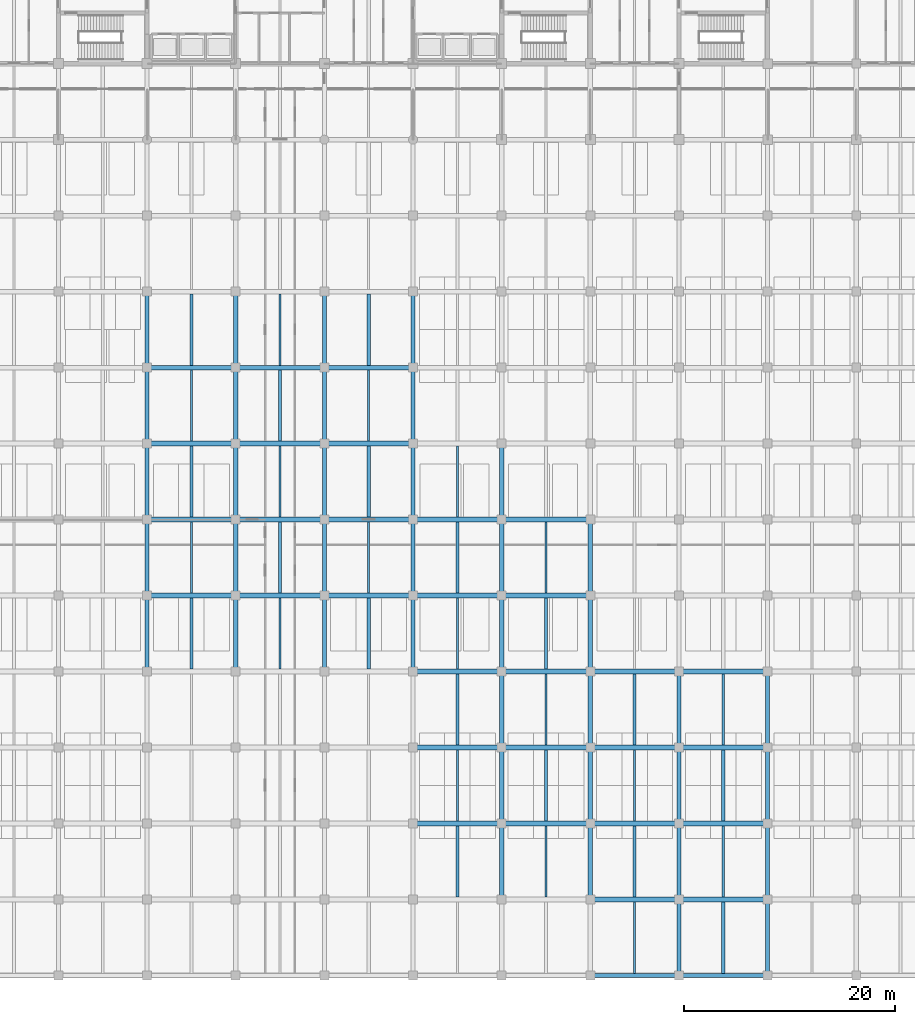
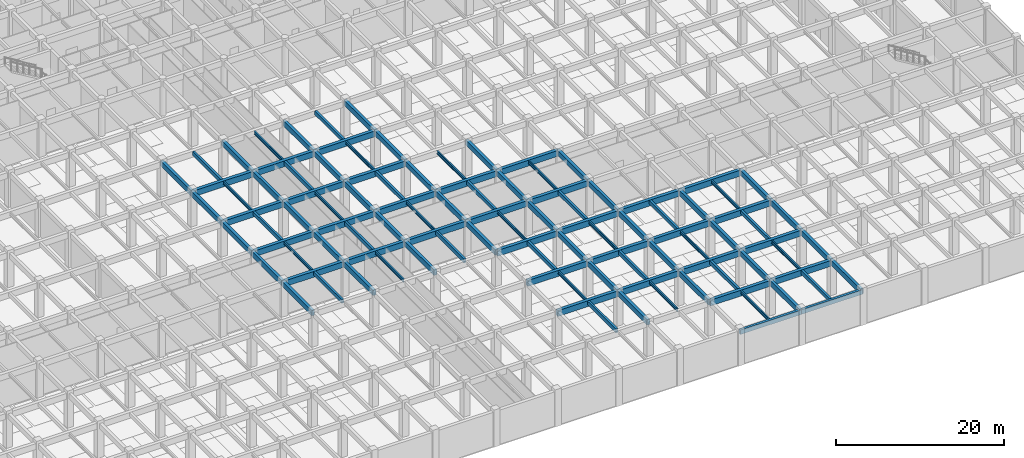
# One storey, part 5 of 48: 105 beams.
"""IFC4 building model written with IfcOpenShell, lengths in metres."""

from ifc_helpers import new_model, si_unit, direction, frame, origin, origin_2d, place, context, subcontext, project, spatial, rectangle, i_section, extrude, material, material_profile, profile_set, type_object, element, save


model = new_model("IFC4")

# Units and contexts
model_context = context("Model", 3, precision=1e-05, world=origin(), true_north=direction((0.0, 1.0)))
body_context = subcontext(model_context, "Body", "Model", "MODEL_VIEW")
ifc_project = project(units=[si_unit("LENGTHUNIT", "METRE"), si_unit("AREAUNIT", "SQUARE_METRE"), si_unit("VOLUMEUNIT", "CUBIC_METRE"), si_unit("PLANEANGLEUNIT", "RADIAN"), si_unit("MASSUNIT", "GRAM", prefix="KILO")], contexts=[model_context])

# Site, building, storey
site_placement = place(None, origin())
site = spatial("IfcSite", under=ifc_project, at=site_placement, CompositionType="ELEMENT")
building_placement = place(site_placement, origin())
building = spatial("IfcBuilding", under=site, at=building_placement, Name="Chengyuan Square Courthouse", CompositionType="ELEMENT")
storey_placement = place(building_placement, frame((0.0, 0.0, -5.39990234375)))
storey = spatial("IfcBuildingStorey", under=building, at=storey_placement, Name="B01", CompositionType="ELEMENT", Elevation=-5.39990234375)

# Beams
ifc_material_1 = material(Name="Concrete C40", Category="concrete")
ifc_material_profile_1 = material_profile(ifc_material_1, rectangle(XDim=0.449951171875, YDim=0.85009765625, at=origin_2d()), Name="RC-BM-450x850")
ifc_profile_set_1 = profile_set([ifc_material_profile_1], Name="Concrete C40")
beam_type_1 = type_object("IfcBeamType", Name="BM-01", PredefinedType="USERDEFINED", material=ifc_profile_set_1)
beam_1_placement = place(storey_placement, frame((109.199951171875, 7.199951171875, 4.554931640625), z_axis=(1.0, 0.0, 0.0), x_axis=(0.0, 1.0, 0.0)))
element("IfcBeam", 1, at=beam_1_placement, inside=storey, type_object=beam_type_1, Name="Girder BM-B01-0705", ObjectType="GIRDER", PredefinedType="USERDEFINED", context=body_context, shape_type="SweptSolid", body=[
    extrude(rectangle(XDim=0.449951171875, YDim=0.85009765625, at=origin_2d()), origin(), (0.0, 0.0, 1.0), 8.400146484375),
])
beam_2_placement = place(storey_placement, frame((117.60009765625, 7.199951171875, 4.554931640625), z_axis=(1.0, 0.0, 0.0), x_axis=(0.0, 1.0, 0.0)))
element("IfcBeam", 2, at=beam_2_placement, inside=storey, type_object=beam_type_1, Name="Girder BM-B01-0706", ObjectType="GIRDER", PredefinedType="USERDEFINED", context=body_context, shape_type="SweptSolid", body=[
    extrude(rectangle(XDim=0.449951171875, YDim=0.85009765625, at=origin_2d()), origin(), (0.0, 0.0, 1.0), 8.39990234375),
])
beam_3_placement = place(storey_placement, frame((92.39990234375, 14.39990234375, 4.554931640625), z_axis=(1.0, 0.0, 0.0), x_axis=(0.0, 1.0, 0.0)))
element("IfcBeam", 3, at=beam_3_placement, inside=storey, type_object=beam_type_1, Name="Girder BM-B01-0723", ObjectType="GIRDER", PredefinedType="USERDEFINED", context=body_context, shape_type="SweptSolid", body=[
    extrude(rectangle(XDim=0.449951171875, YDim=0.85009765625, at=origin_2d()), origin(), (0.0, 0.0, 1.0), 8.400146484375),
])
beam_4_placement = place(storey_placement, frame((100.800048828125, 14.39990234375, 4.554931640625), z_axis=(1.0, 0.0, 0.0), x_axis=(0.0, 1.0, 0.0)))
element("IfcBeam", 4, at=beam_4_placement, inside=storey, type_object=beam_type_1, Name="Girder BM-B01-0724", ObjectType="GIRDER", PredefinedType="USERDEFINED", context=body_context, shape_type="SweptSolid", body=[
    extrude(rectangle(XDim=0.449951171875, YDim=0.85009765625, at=origin_2d()), origin(), (0.0, 0.0, 1.0), 8.39990234375),
])
beam_5_placement = place(storey_placement, frame((109.199951171875, 14.39990234375, 4.554931640625), z_axis=(1.0, 0.0, 0.0), x_axis=(0.0, 1.0, 0.0)))
element("IfcBeam", 5, at=beam_5_placement, inside=storey, type_object=beam_type_1, Name="Girder BM-B01-0725", ObjectType="GIRDER", PredefinedType="USERDEFINED", context=body_context, shape_type="SweptSolid", body=[
    extrude(rectangle(XDim=0.449951171875, YDim=0.85009765625, at=origin_2d()), origin(), (0.0, 0.0, 1.0), 8.400146484375),
])
beam_6_placement = place(storey_placement, frame((117.60009765625, 14.39990234375, 4.554931640625), z_axis=(1.0, 0.0, 0.0), x_axis=(0.0, 1.0, 0.0)))
element("IfcBeam", 6, at=beam_6_placement, inside=storey, type_object=beam_type_1, Name="Girder BM-B01-0726", ObjectType="GIRDER", PredefinedType="USERDEFINED", context=body_context, shape_type="SweptSolid", body=[
    extrude(rectangle(XDim=0.449951171875, YDim=0.85009765625, at=origin_2d()), origin(), (0.0, 0.0, 1.0), 8.39990234375),
])
beam_7_placement = place(storey_placement, frame((92.39990234375, 21.60009765625, 4.554931640625), z_axis=(1.0, 0.0, 0.0), x_axis=(0.0, 1.0, 0.0)))
element("IfcBeam", 7, at=beam_7_placement, inside=storey, type_object=beam_type_1, Name="Girder BM-B01-0743", ObjectType="GIRDER", PredefinedType="USERDEFINED", context=body_context, shape_type="SweptSolid", body=[
    extrude(rectangle(XDim=0.449951171875, YDim=0.85009765625, at=origin_2d()), origin(), (0.0, 0.0, 1.0), 8.400146484375),
])
beam_8_placement = place(storey_placement, frame((100.800048828125, 21.60009765625, 4.554931640625), z_axis=(1.0, 0.0, 0.0), x_axis=(0.0, 1.0, 0.0)))
element("IfcBeam", 8, at=beam_8_placement, inside=storey, type_object=beam_type_1, Name="Girder BM-B01-0744", ObjectType="GIRDER", PredefinedType="USERDEFINED", context=body_context, shape_type="SweptSolid", body=[
    extrude(rectangle(XDim=0.449951171875, YDim=0.85009765625, at=origin_2d()), origin(), (0.0, 0.0, 1.0), 8.39990234375),
])
beam_9_placement = place(storey_placement, frame((109.199951171875, 21.60009765625, 4.554931640625), z_axis=(1.0, 0.0, 0.0), x_axis=(0.0, 1.0, 0.0)))
element("IfcBeam", 9, at=beam_9_placement, inside=storey, type_object=beam_type_1, Name="Girder BM-B01-0745", ObjectType="GIRDER", PredefinedType="USERDEFINED", context=body_context, shape_type="SweptSolid", body=[
    extrude(rectangle(XDim=0.449951171875, YDim=0.85009765625, at=origin_2d()), origin(), (0.0, 0.0, 1.0), 8.400146484375),
])
beam_10_placement = place(storey_placement, frame((117.60009765625, 21.60009765625, 4.554931640625), z_axis=(1.0, 0.0, 0.0), x_axis=(0.0, 1.0, 0.0)))
element("IfcBeam", 10, at=beam_10_placement, inside=storey, type_object=beam_type_1, Name="Girder BM-B01-0746", ObjectType="GIRDER", PredefinedType="USERDEFINED", context=body_context, shape_type="SweptSolid", body=[
    extrude(rectangle(XDim=0.449951171875, YDim=0.85009765625, at=origin_2d()), origin(), (0.0, 0.0, 1.0), 8.39990234375),
])
beam_11_placement = place(storey_placement, frame((92.39990234375, 28.800048828125, 4.554931640625), z_axis=(1.0, 0.0, 0.0), x_axis=(0.0, 1.0, 0.0)))
element("IfcBeam", 11, at=beam_11_placement, inside=storey, type_object=beam_type_1, Name="Girder BM-B01-0763", ObjectType="GIRDER", PredefinedType="USERDEFINED", context=body_context, shape_type="SweptSolid", body=[
    extrude(rectangle(XDim=0.449951171875, YDim=0.85009765625, at=origin_2d()), origin(), (0.0, 0.0, 1.0), 8.400146484375),
])
beam_12_placement = place(storey_placement, frame((100.800048828125, 28.800048828125, 4.554931640625), z_axis=(1.0, 0.0, 0.0), x_axis=(0.0, 1.0, 0.0)))
element("IfcBeam", 12, at=beam_12_placement, inside=storey, type_object=beam_type_1, Name="Girder BM-B01-0764", ObjectType="GIRDER", PredefinedType="USERDEFINED", context=body_context, shape_type="SweptSolid", body=[
    extrude(rectangle(XDim=0.449951171875, YDim=0.85009765625, at=origin_2d()), origin(), (0.0, 0.0, 1.0), 8.39990234375),
])
beam_13_placement = place(storey_placement, frame((109.199951171875, 28.800048828125, 4.554931640625), z_axis=(1.0, 0.0, 0.0), x_axis=(0.0, 1.0, 0.0)))
element("IfcBeam", 13, at=beam_13_placement, inside=storey, type_object=beam_type_1, Name="Girder BM-B01-0765", ObjectType="GIRDER", PredefinedType="USERDEFINED", context=body_context, shape_type="SweptSolid", body=[
    extrude(rectangle(XDim=0.449951171875, YDim=0.85009765625, at=origin_2d()), origin(), (0.0, 0.0, 1.0), 8.400146484375),
])
beam_14_placement = place(storey_placement, frame((117.60009765625, 28.800048828125, 4.554931640625), z_axis=(1.0, 0.0, 0.0), x_axis=(0.0, 1.0, 0.0)))
element("IfcBeam", 14, at=beam_14_placement, inside=storey, type_object=beam_type_1, Name="Girder BM-B01-0766", ObjectType="GIRDER", PredefinedType="USERDEFINED", context=body_context, shape_type="SweptSolid", body=[
    extrude(rectangle(XDim=0.449951171875, YDim=0.85009765625, at=origin_2d()), origin(), (0.0, 0.0, 1.0), 8.39990234375),
])
beam_15_placement = place(storey_placement, frame((67.199951171875, 36.0, 4.554931640625), z_axis=(1.0, 0.0, 0.0), x_axis=(0.0, 1.0, 0.0)))
element("IfcBeam", 15, at=beam_15_placement, inside=storey, type_object=beam_type_1, Name="Girder BM-B01-0780", ObjectType="GIRDER", PredefinedType="USERDEFINED", context=body_context, shape_type="SweptSolid", body=[
    extrude(rectangle(XDim=0.449951171875, YDim=0.85009765625, at=origin_2d()), origin(), (0.0, 0.0, 1.0), 8.400146484375),
])
for number, where, z_axis, x_axis, name in (
    (16, (75.60009765625, 36.0, 4.554931640625), (1.0, 0.0, 0.0), (0.0, 1.0, 0.0), "Girder BM-B01-0781"),
    (17, (84.0, 36.0, 4.554931640625), (1.0, 0.0, 0.0), (0.0, 1.0, 0.0), "Girder BM-B01-0782"),
):
    element("IfcBeam", number, at=place(storey_placement, frame(where, z_axis=z_axis, x_axis=x_axis)), inside=storey, type_object=beam_type_1, Name=name, ObjectType="GIRDER", PredefinedType="USERDEFINED", context=body_context, shape_type="SweptSolid", body=[
        extrude(rectangle(XDim=0.449951171875, YDim=0.85009765625, at=origin_2d()), origin(), (0.0, 0.0, 1.0), 8.39990234375),
    ])
beam_16_placement = place(storey_placement, frame((92.39990234375, 36.0, 4.554931640625), z_axis=(1.0, 0.0, 0.0), x_axis=(0.0, 1.0, 0.0)))
element("IfcBeam", 18, at=beam_16_placement, inside=storey, type_object=beam_type_1, Name="Girder BM-B01-0783", ObjectType="GIRDER", PredefinedType="USERDEFINED", context=body_context, shape_type="SweptSolid", body=[
    extrude(rectangle(XDim=0.449951171875, YDim=0.85009765625, at=origin_2d()), origin(), (0.0, 0.0, 1.0), 8.400146484375),
])
beam_17_placement = place(storey_placement, frame((100.800048828125, 36.0, 4.554931640625), z_axis=(1.0, 0.0, 0.0), x_axis=(0.0, 1.0, 0.0)))
element("IfcBeam", 19, at=beam_17_placement, inside=storey, type_object=beam_type_1, Name="Girder BM-B01-0784", ObjectType="GIRDER", PredefinedType="USERDEFINED", context=body_context, shape_type="SweptSolid", body=[
    extrude(rectangle(XDim=0.449951171875, YDim=0.85009765625, at=origin_2d()), origin(), (0.0, 0.0, 1.0), 8.39990234375),
])
beam_18_placement = place(storey_placement, frame((67.199951171875, 43.199951171875, 4.554931640625), z_axis=(1.0, 0.0, 0.0), x_axis=(0.0, 1.0, 0.0)))
element("IfcBeam", 20, at=beam_18_placement, inside=storey, type_object=beam_type_1, Name="Girder BM-B01-0800", ObjectType="GIRDER", PredefinedType="USERDEFINED", context=body_context, shape_type="SweptSolid", body=[
    extrude(rectangle(XDim=0.449951171875, YDim=0.85009765625, at=origin_2d()), origin(), (0.0, 0.0, 1.0), 8.400146484375),
])
for number, where, z_axis, x_axis, name in (
    (21, (75.60009765625, 43.199951171875, 4.554931640625), (1.0, 0.0, 0.0), (0.0, 1.0, 0.0), "Girder BM-B01-0801"),
    (22, (84.0, 43.199951171875, 4.554931640625), (1.0, 0.0, 0.0), (0.0, 1.0, 0.0), "Girder BM-B01-0802"),
):
    element("IfcBeam", number, at=place(storey_placement, frame(where, z_axis=z_axis, x_axis=x_axis)), inside=storey, type_object=beam_type_1, Name=name, ObjectType="GIRDER", PredefinedType="USERDEFINED", context=body_context, shape_type="SweptSolid", body=[
        extrude(rectangle(XDim=0.449951171875, YDim=0.85009765625, at=origin_2d()), origin(), (0.0, 0.0, 1.0), 8.39990234375),
    ])
beam_19_placement = place(storey_placement, frame((92.39990234375, 43.199951171875, 4.554931640625), z_axis=(1.0, 0.0, 0.0), x_axis=(0.0, 1.0, 0.0)))
element("IfcBeam", 23, at=beam_19_placement, inside=storey, type_object=beam_type_1, Name="Girder BM-B01-0803", ObjectType="GIRDER", PredefinedType="USERDEFINED", context=body_context, shape_type="SweptSolid", body=[
    extrude(rectangle(XDim=0.449951171875, YDim=0.85009765625, at=origin_2d()), origin(), (0.0, 0.0, 1.0), 8.400146484375),
])
beam_20_placement = place(storey_placement, frame((100.800048828125, 43.199951171875, 4.554931640625), z_axis=(1.0, 0.0, 0.0), x_axis=(0.0, 1.0, 0.0)))
element("IfcBeam", 24, at=beam_20_placement, inside=storey, type_object=beam_type_1, Name="Girder BM-B01-0804", ObjectType="GIRDER", PredefinedType="USERDEFINED", context=body_context, shape_type="SweptSolid", body=[
    extrude(rectangle(XDim=0.449951171875, YDim=0.85009765625, at=origin_2d()), origin(), (0.0, 0.0, 1.0), 8.39990234375),
])
beam_21_placement = place(storey_placement, frame((67.199951171875, 50.39990234375, 4.554931640625), z_axis=(1.0, 0.0, 0.0), x_axis=(0.0, 1.0, 0.0)))
element("IfcBeam", 25, at=beam_21_placement, inside=storey, type_object=beam_type_1, Name="Girder BM-B01-0820", ObjectType="GIRDER", PredefinedType="USERDEFINED", context=body_context, shape_type="SweptSolid", body=[
    extrude(rectangle(XDim=0.449951171875, YDim=0.85009765625, at=origin_2d()), origin(), (0.0, 0.0, 1.0), 8.400146484375),
])
for number, where, z_axis, x_axis, name in (
    (26, (75.60009765625, 50.39990234375, 4.554931640625), (1.0, 0.0, 0.0), (0.0, 1.0, 0.0), "Girder BM-B01-0821"),
    (27, (84.0, 50.39990234375, 4.554931640625), (1.0, 0.0, 0.0), (0.0, 1.0, 0.0), "Girder BM-B01-0822"),
):
    element("IfcBeam", number, at=place(storey_placement, frame(where, z_axis=z_axis, x_axis=x_axis)), inside=storey, type_object=beam_type_1, Name=name, ObjectType="GIRDER", PredefinedType="USERDEFINED", context=body_context, shape_type="SweptSolid", body=[
        extrude(rectangle(XDim=0.449951171875, YDim=0.85009765625, at=origin_2d()), origin(), (0.0, 0.0, 1.0), 8.39990234375),
    ])
beam_22_placement = place(storey_placement, frame((67.199951171875, 57.60009765625, 4.554931640625), z_axis=(1.0, 0.0, 0.0), x_axis=(0.0, 1.0, 0.0)))
element("IfcBeam", 28, at=beam_22_placement, inside=storey, type_object=beam_type_1, Name="Girder BM-B01-0840", ObjectType="GIRDER", PredefinedType="USERDEFINED", context=body_context, shape_type="SweptSolid", body=[
    extrude(rectangle(XDim=0.449951171875, YDim=0.85009765625, at=origin_2d()), origin(), (0.0, 0.0, 1.0), 8.400146484375),
])
for number, where, z_axis, x_axis, name in (
    (29, (75.60009765625, 57.60009765625, 4.554931640625), (1.0, 0.0, 0.0), (0.0, 1.0, 0.0), "Girder BM-B01-0841"),
    (30, (84.0, 57.60009765625, 4.554931640625), (1.0, 0.0, 0.0), (0.0, 1.0, 0.0), "Girder BM-B01-0842"),
):
    element("IfcBeam", number, at=place(storey_placement, frame(where, z_axis=z_axis, x_axis=x_axis)), inside=storey, type_object=beam_type_1, Name=name, ObjectType="GIRDER", PredefinedType="USERDEFINED", context=body_context, shape_type="SweptSolid", body=[
        extrude(rectangle(XDim=0.449951171875, YDim=0.85009765625, at=origin_2d()), origin(), (0.0, 0.0, 1.0), 8.39990234375),
    ])
ifc_material_profile_2 = material_profile(ifc_material_1, rectangle(XDim=0.39990234375, YDim=0.75, at=origin_2d()), Name="RC-BM-400x750")
ifc_profile_set_2 = profile_set([ifc_material_profile_2], Name="Concrete C40")
beam_type_2 = type_object("IfcBeamType", Name="BM-02", PredefinedType="USERDEFINED", material=ifc_profile_set_2)
for number, where, z_axis, x_axis, name in (
    (31, (67.199951171875, 28.800048828125, 4.60498046875), (0.0, 1.0, 0.0), (-1.0, 0.0, 0.0), "Girder BM-B01-1138"),
    (32, (67.199951171875, 36.0, 4.60498046875), (0.0, 1.0, 0.0), (-1.0, 0.0, 0.0), "Girder BM-B01-1139"),
    (33, (67.199951171875, 43.199951171875, 4.60498046875), (0.0, 1.0, 0.0), (-1.0, 0.0, 0.0), "Girder BM-B01-1140"),
):
    element("IfcBeam", number, at=place(storey_placement, frame(where, z_axis=z_axis, x_axis=x_axis)), inside=storey, type_object=beam_type_2, Name=name, ObjectType="GIRDER", PredefinedType="USERDEFINED", context=body_context, shape_type="SweptSolid", body=[
        extrude(rectangle(XDim=0.39990234375, YDim=0.75, at=origin_2d()), origin(), (0.0, 0.0, 1.0), 7.199951171875),
    ])
beam_23_placement = place(storey_placement, frame((67.199951171875, 50.39990234375, 4.60498046875), z_axis=(0.0, 1.0, 0.0), x_axis=(-1.0, 0.0, 0.0)))
element("IfcBeam", 34, at=beam_23_placement, inside=storey, type_object=beam_type_2, Name="Girder BM-B01-1141", ObjectType="GIRDER", PredefinedType="USERDEFINED", context=body_context, shape_type="SweptSolid", body=[
    extrude(rectangle(XDim=0.39990234375, YDim=0.75, at=origin_2d()), origin(), (0.0, 0.0, 1.0), 7.2001953125),
])
for number, where, z_axis, x_axis, name in (
    (35, (67.199951171875, 57.60009765625, 4.60498046875), (0.0, 1.0, 0.0), (-1.0, 0.0, 0.0), "Girder BM-B01-1142"),
    (36, (75.60009765625, 28.800048828125, 4.60498046875), (0.0, 1.0, 0.0), (-1.0, 0.0, 0.0), "Girder BM-B01-1154"),
    (37, (75.60009765625, 36.0, 4.60498046875), (0.0, 1.0, 0.0), (-1.0, 0.0, 0.0), "Girder BM-B01-1155"),
    (38, (75.60009765625, 43.199951171875, 4.60498046875), (0.0, 1.0, 0.0), (-1.0, 0.0, 0.0), "Girder BM-B01-1156"),
):
    element("IfcBeam", number, at=place(storey_placement, frame(where, z_axis=z_axis, x_axis=x_axis)), inside=storey, type_object=beam_type_2, Name=name, ObjectType="GIRDER", PredefinedType="USERDEFINED", context=body_context, shape_type="SweptSolid", body=[
        extrude(rectangle(XDim=0.39990234375, YDim=0.75, at=origin_2d()), origin(), (0.0, 0.0, 1.0), 7.199951171875),
    ])
beam_24_placement = place(storey_placement, frame((75.60009765625, 50.39990234375, 4.60498046875), z_axis=(0.0, 1.0, 0.0), x_axis=(-1.0, 0.0, 0.0)))
element("IfcBeam", 39, at=beam_24_placement, inside=storey, type_object=beam_type_2, Name="Girder BM-B01-1157", ObjectType="GIRDER", PredefinedType="USERDEFINED", context=body_context, shape_type="SweptSolid", body=[
    extrude(rectangle(XDim=0.39990234375, YDim=0.75, at=origin_2d()), origin(), (0.0, 0.0, 1.0), 7.2001953125),
])
for number, where, z_axis, x_axis, name in (
    (40, (75.60009765625, 57.60009765625, 4.60498046875), (0.0, 1.0, 0.0), (-1.0, 0.0, 0.0), "Girder BM-B01-1158"),
    (41, (84.0, 28.800048828125, 4.60498046875), (0.0, 1.0, 0.0), (-1.0, 0.0, 0.0), "Girder BM-B01-1170"),
    (42, (84.0, 36.0, 4.60498046875), (0.0, 1.0, 0.0), (-1.0, 0.0, 0.0), "Girder BM-B01-1171"),
    (43, (84.0, 43.199951171875, 4.60498046875), (0.0, 1.0, 0.0), (-1.0, 0.0, 0.0), "Girder BM-B01-1172"),
):
    element("IfcBeam", number, at=place(storey_placement, frame(where, z_axis=z_axis, x_axis=x_axis)), inside=storey, type_object=beam_type_2, Name=name, ObjectType="GIRDER", PredefinedType="USERDEFINED", context=body_context, shape_type="SweptSolid", body=[
        extrude(rectangle(XDim=0.39990234375, YDim=0.75, at=origin_2d()), origin(), (0.0, 0.0, 1.0), 7.199951171875),
    ])
beam_25_placement = place(storey_placement, frame((84.0, 50.39990234375, 4.60498046875), z_axis=(0.0, 1.0, 0.0), x_axis=(-1.0, 0.0, 0.0)))
element("IfcBeam", 44, at=beam_25_placement, inside=storey, type_object=beam_type_2, Name="Girder BM-B01-1173", ObjectType="GIRDER", PredefinedType="USERDEFINED", context=body_context, shape_type="SweptSolid", body=[
    extrude(rectangle(XDim=0.39990234375, YDim=0.75, at=origin_2d()), origin(), (0.0, 0.0, 1.0), 7.2001953125),
])
for number, where, z_axis, x_axis, name in (
    (45, (84.0, 57.60009765625, 4.60498046875), (0.0, 1.0, 0.0), (-1.0, 0.0, 0.0), "Girder BM-B01-1174"),
    (46, (92.39990234375, 28.800048828125, 4.60498046875), (0.0, 1.0, 0.0), (-1.0, 0.0, 0.0), "Girder BM-B01-1186"),
    (47, (92.39990234375, 36.0, 4.60498046875), (0.0, 1.0, 0.0), (-1.0, 0.0, 0.0), "Girder BM-B01-1187"),
    (48, (92.39990234375, 43.199951171875, 4.60498046875), (0.0, 1.0, 0.0), (-1.0, 0.0, 0.0), "Girder BM-B01-1188"),
):
    element("IfcBeam", number, at=place(storey_placement, frame(where, z_axis=z_axis, x_axis=x_axis)), inside=storey, type_object=beam_type_2, Name=name, ObjectType="GIRDER", PredefinedType="USERDEFINED", context=body_context, shape_type="SweptSolid", body=[
        extrude(rectangle(XDim=0.39990234375, YDim=0.75, at=origin_2d()), origin(), (0.0, 0.0, 1.0), 7.199951171875),
    ])
beam_26_placement = place(storey_placement, frame((92.39990234375, 50.39990234375, 4.60498046875), z_axis=(0.0, 1.0, 0.0), x_axis=(-1.0, 0.0, 0.0)))
element("IfcBeam", 49, at=beam_26_placement, inside=storey, type_object=beam_type_2, Name="Girder BM-B01-1189", ObjectType="GIRDER", PredefinedType="USERDEFINED", context=body_context, shape_type="SweptSolid", body=[
    extrude(rectangle(XDim=0.39990234375, YDim=0.75, at=origin_2d()), origin(), (0.0, 0.0, 1.0), 7.2001953125),
])
for number, where, z_axis, x_axis, name in (
    (50, (92.39990234375, 57.60009765625, 4.60498046875), (0.0, 1.0, 0.0), (-1.0, 0.0, 0.0), "Girder BM-B01-1190"),
    (51, (100.800048828125, 7.199951171875, 4.60498046875), (0.0, 1.0, 0.0), (-1.0, 0.0, 0.0), "Girder BM-B01-1199"),
):
    element("IfcBeam", number, at=place(storey_placement, frame(where, z_axis=z_axis, x_axis=x_axis)), inside=storey, type_object=beam_type_2, Name=name, ObjectType="GIRDER", PredefinedType="USERDEFINED", context=body_context, shape_type="SweptSolid", body=[
        extrude(rectangle(XDim=0.39990234375, YDim=0.75, at=origin_2d()), origin(), (0.0, 0.0, 1.0), 7.199951171875),
    ])
beam_27_placement = place(storey_placement, frame((100.800048828125, 14.39990234375, 4.60498046875), z_axis=(0.0, 1.0, 0.0), x_axis=(-1.0, 0.0, 0.0)))
element("IfcBeam", 52, at=beam_27_placement, inside=storey, type_object=beam_type_2, Name="Girder BM-B01-1200", ObjectType="GIRDER", PredefinedType="USERDEFINED", context=body_context, shape_type="SweptSolid", body=[
    extrude(rectangle(XDim=0.39990234375, YDim=0.75, at=origin_2d()), origin(), (0.0, 0.0, 1.0), 7.2001953125),
])
for number, where, z_axis, x_axis, name in (
    (53, (100.800048828125, 21.60009765625, 4.60498046875), (0.0, 1.0, 0.0), (-1.0, 0.0, 0.0), "Girder BM-B01-1201"),
    (54, (100.800048828125, 28.800048828125, 4.60498046875), (0.0, 1.0, 0.0), (-1.0, 0.0, 0.0), "Girder BM-B01-1202"),
    (55, (100.800048828125, 36.0, 4.60498046875), (0.0, 1.0, 0.0), (-1.0, 0.0, 0.0), "Girder BM-B01-1203"),
    (56, (100.800048828125, 43.199951171875, 4.60498046875), (0.0, 1.0, 0.0), (-1.0, 0.0, 0.0), "Girder BM-B01-1204"),
    (57, (109.199951171875, 7.199951171875, 4.60498046875), (0.0, 1.0, 0.0), (-1.0, 0.0, 0.0), "Girder BM-B01-1215"),
):
    element("IfcBeam", number, at=place(storey_placement, frame(where, z_axis=z_axis, x_axis=x_axis)), inside=storey, type_object=beam_type_2, Name=name, ObjectType="GIRDER", PredefinedType="USERDEFINED", context=body_context, shape_type="SweptSolid", body=[
        extrude(rectangle(XDim=0.39990234375, YDim=0.75, at=origin_2d()), origin(), (0.0, 0.0, 1.0), 7.199951171875),
    ])
beam_28_placement = place(storey_placement, frame((109.199951171875, 14.39990234375, 4.60498046875), z_axis=(0.0, 1.0, 0.0), x_axis=(-1.0, 0.0, 0.0)))
element("IfcBeam", 58, at=beam_28_placement, inside=storey, type_object=beam_type_2, Name="Girder BM-B01-1216", ObjectType="GIRDER", PredefinedType="USERDEFINED", context=body_context, shape_type="SweptSolid", body=[
    extrude(rectangle(XDim=0.39990234375, YDim=0.75, at=origin_2d()), origin(), (0.0, 0.0, 1.0), 7.2001953125),
])
for number, where, z_axis, x_axis, name in (
    (59, (109.199951171875, 21.60009765625, 4.60498046875), (0.0, 1.0, 0.0), (-1.0, 0.0, 0.0), "Girder BM-B01-1217"),
    (60, (109.199951171875, 28.800048828125, 4.60498046875), (0.0, 1.0, 0.0), (-1.0, 0.0, 0.0), "Girder BM-B01-1218"),
    (61, (109.199951171875, 36.0, 4.60498046875), (0.0, 1.0, 0.0), (-1.0, 0.0, 0.0), "Girder BM-B01-1219"),
    (62, (117.60009765625, 0.0, 4.60498046875), (0.0, 1.0, 0.0), (-1.0, 0.0, 0.0), "Girder BM-B01-1230"),
    (63, (117.60009765625, 7.199951171875, 4.60498046875), (0.0, 1.0, 0.0), (-1.0, 0.0, 0.0), "Girder BM-B01-1231"),
):
    element("IfcBeam", number, at=place(storey_placement, frame(where, z_axis=z_axis, x_axis=x_axis)), inside=storey, type_object=beam_type_2, Name=name, ObjectType="GIRDER", PredefinedType="USERDEFINED", context=body_context, shape_type="SweptSolid", body=[
        extrude(rectangle(XDim=0.39990234375, YDim=0.75, at=origin_2d()), origin(), (0.0, 0.0, 1.0), 7.199951171875),
    ])
beam_29_placement = place(storey_placement, frame((117.60009765625, 14.39990234375, 4.60498046875), z_axis=(0.0, 1.0, 0.0), x_axis=(-1.0, 0.0, 0.0)))
element("IfcBeam", 64, at=beam_29_placement, inside=storey, type_object=beam_type_2, Name="Girder BM-B01-1232", ObjectType="GIRDER", PredefinedType="USERDEFINED", context=body_context, shape_type="SweptSolid", body=[
    extrude(rectangle(XDim=0.39990234375, YDim=0.75, at=origin_2d()), origin(), (0.0, 0.0, 1.0), 7.2001953125),
])
for number, where, z_axis, x_axis, name in (
    (65, (117.60009765625, 21.60009765625, 4.60498046875), (0.0, 1.0, 0.0), (-1.0, 0.0, 0.0), "Girder BM-B01-1233"),
    (66, (126.0, 0.0, 4.60498046875), (0.0, 1.0, 0.0), (-1.0, 0.0, 0.0), "Girder BM-B01-1246"),
    (67, (126.0, 7.199951171875, 4.60498046875), (0.0, 1.0, 0.0), (-1.0, 0.0, 0.0), "Girder BM-B01-1247"),
):
    element("IfcBeam", number, at=place(storey_placement, frame(where, z_axis=z_axis, x_axis=x_axis)), inside=storey, type_object=beam_type_2, Name=name, ObjectType="GIRDER", PredefinedType="USERDEFINED", context=body_context, shape_type="SweptSolid", body=[
        extrude(rectangle(XDim=0.39990234375, YDim=0.75, at=origin_2d()), origin(), (0.0, 0.0, 1.0), 7.199951171875),
    ])
beam_30_placement = place(storey_placement, frame((126.0, 14.39990234375, 4.60498046875), z_axis=(0.0, 1.0, 0.0), x_axis=(-1.0, 0.0, 0.0)))
element("IfcBeam", 68, at=beam_30_placement, inside=storey, type_object=beam_type_2, Name="Girder BM-B01-1248", ObjectType="GIRDER", PredefinedType="USERDEFINED", context=body_context, shape_type="SweptSolid", body=[
    extrude(rectangle(XDim=0.39990234375, YDim=0.75, at=origin_2d()), origin(), (0.0, 0.0, 1.0), 7.2001953125),
])
beam_31_placement = place(storey_placement, frame((126.0, 21.60009765625, 4.60498046875), z_axis=(0.0, 1.0, 0.0), x_axis=(-1.0, 0.0, 0.0)))
element("IfcBeam", 69, at=beam_31_placement, inside=storey, type_object=beam_type_2, Name="Girder BM-B01-1249", ObjectType="GIRDER", PredefinedType="USERDEFINED", context=body_context, shape_type="SweptSolid", body=[
    extrude(rectangle(XDim=0.39990234375, YDim=0.75, at=origin_2d()), origin(), (0.0, 0.0, 1.0), 7.199951171875),
])
ifc_material_profile_3 = material_profile(ifc_material_1, rectangle(XDim=0.35009765625, YDim=0.64990234375, at=origin_2d()), Name="RC-BM-350x650")
ifc_profile_set_3 = profile_set([ifc_material_profile_3], Name="Concrete C40")
beam_type_3 = type_object("IfcBeamType", Name="BM-03", PredefinedType="SPANDREL", material=ifc_profile_set_3)
beam_32_placement = place(storey_placement, frame((109.199951171875, 0.0, 4.65478515625), z_axis=(1.0, 0.0, 0.0), x_axis=(0.0, 1.0, 0.0)))
element("IfcBeam", 70, at=beam_32_placement, inside=storey, type_object=beam_type_3, Name="Girder BM-B01-0685", PredefinedType="SPANDREL", context=body_context, shape_type="SweptSolid", body=[
    extrude(rectangle(XDim=0.35009765625, YDim=0.64990234375, at=origin_2d()), origin(), (0.0, 0.0, 1.0), 8.400146484375),
])
beam_33_placement = place(storey_placement, frame((117.60009765625, 0.0, 4.65478515625), z_axis=(1.0, 0.0, 0.0), x_axis=(0.0, 1.0, 0.0)))
element("IfcBeam", 71, at=beam_33_placement, inside=storey, type_object=beam_type_3, Name="Girder BM-B01-0686", PredefinedType="SPANDREL", context=body_context, shape_type="SweptSolid", body=[
    extrude(rectangle(XDim=0.35009765625, YDim=0.64990234375, at=origin_2d()), origin(), (0.0, 0.0, 1.0), 8.39990234375),
])
ifc_material_profile_4 = material_profile(ifc_material_1, rectangle(XDim=0.300048828125, YDim=0.550048828125, at=origin_2d()), Name="RC-BM-300x550")
ifc_profile_set_4 = profile_set([ifc_material_profile_4], Name="Concrete C40")
beam_type_4 = type_object("IfcBeamType", Name="BM-04", PredefinedType="BEAM", material=ifc_profile_set_4)
for number, where, z_axis, x_axis, name in (
    (72, (71.39990234375, 29.02490234375, 4.704833984375), (0.0, 1.0, 0.0), (-1.0, 0.0, 0.0), "Secondary Floor Beam SBM-B01-1462"),
    (73, (71.39990234375, 43.425048828125, 4.704833984375), (0.0, 1.0, 0.0), (-1.0, 0.0, 0.0), "Secondary Floor Beam SBM-B01-1464"),
    (74, (71.39990234375, 57.824951171875, 4.704833984375), (0.0, 1.0, 0.0), (-1.0, 0.0, 0.0), "Secondary Floor Beam SBM-B01-1466"),
    (75, (79.800048828125, 36.22509765625, 4.704833984375), (0.0, 1.0, 0.0), (-1.0, 0.0, 0.0), "Secondary Floor Beam SBM-B01-1478"),
    (76, (79.800048828125, 50.625, 4.704833984375), (0.0, 1.0, 0.0), (-1.0, 0.0, 0.0), "Secondary Floor Beam SBM-B01-1480"),
    (77, (88.199951171875, 29.02490234375, 4.704833984375), (0.0, 1.0, 0.0), (-1.0, 0.0, 0.0), "Secondary Floor Beam SBM-B01-1492"),
    (78, (88.199951171875, 43.425048828125, 4.704833984375), (0.0, 1.0, 0.0), (-1.0, 0.0, 0.0), "Secondary Floor Beam SBM-B01-1494"),
    (79, (88.199951171875, 57.824951171875, 4.704833984375), (0.0, 1.0, 0.0), (-1.0, 0.0, 0.0), "Secondary Floor Beam SBM-B01-1496"),
    (80, (96.60009765625, 7.425048828125, 4.704833984375), (0.0, 1.0, 0.0), (-1.0, 0.0, 0.0), "Secondary Floor Beam SBM-B01-1504"),
    (81, (96.60009765625, 21.824951171875, 4.704833984375), (0.0, 1.0, 0.0), (-1.0, 0.0, 0.0), "Secondary Floor Beam SBM-B01-1506"),
    (82, (96.60009765625, 36.22509765625, 4.704833984375), (0.0, 1.0, 0.0), (-1.0, 0.0, 0.0), "Secondary Floor Beam SBM-B01-1508"),
    (83, (105.0, 14.625, 4.704833984375), (0.0, 1.0, 0.0), (-1.0, 0.0, 0.0), "Secondary Floor Beam SBM-B01-1520"),
    (84, (105.0, 29.02490234375, 4.704833984375), (0.0, 1.0, 0.0), (-1.0, 0.0, 0.0), "Secondary Floor Beam SBM-B01-1522"),
    (85, (113.39990234375, 7.425048828125, 4.704833984375), (0.0, 1.0, 0.0), (-1.0, 0.0, 0.0), "Secondary Floor Beam SBM-B01-1533"),
    (86, (113.39990234375, 21.824951171875, 4.704833984375), (0.0, 1.0, 0.0), (-1.0, 0.0, 0.0), "Secondary Floor Beam SBM-B01-1535"),
):
    element("IfcBeam", number, at=place(storey_placement, frame(where, z_axis=z_axis, x_axis=x_axis)), inside=storey, type_object=beam_type_4, Name=name, PredefinedType="BEAM", context=body_context, shape_type="SweptSolid", body=[
        extrude(rectangle(XDim=0.300048828125, YDim=0.550048828125, at=origin_2d()), origin(), (0.0, 0.0, 1.0), 6.75),
    ])
beam_34_placement = place(storey_placement, frame((121.800048828125, 0.175048828125, 4.704833984375), z_axis=(0.0, 1.0, 0.0), x_axis=(-1.0, 0.0, 0.0)))
element("IfcBeam", 87, at=beam_34_placement, inside=storey, type_object=beam_type_4, Name="Secondary Floor Beam SBM-B01-1548", PredefinedType="BEAM", context=body_context, shape_type="SweptSolid", body=[
    extrude(rectangle(XDim=0.300048828125, YDim=0.550048828125, at=origin_2d()), origin(), (0.0, 0.0, 1.0), 6.800048828125),
])
beam_35_placement = place(storey_placement, frame((121.800048828125, 14.625, 4.704833984375), z_axis=(0.0, 1.0, 0.0), x_axis=(-1.0, 0.0, 0.0)))
element("IfcBeam", 88, at=beam_35_placement, inside=storey, type_object=beam_type_4, Name="Secondary Floor Beam SBM-B01-1550", PredefinedType="BEAM", context=body_context, shape_type="SweptSolid", body=[
    extrude(rectangle(XDim=0.300048828125, YDim=0.550048828125, at=origin_2d()), origin(), (0.0, 0.0, 1.0), 6.75),
])
ifc_material_2 = material(Name="Steel Q355B", Category="steel")
ifc_material_profile_5 = material_profile(ifc_material_2, i_section(OverallWidth=0.199951171875, OverallDepth=0.449951171875, WebThickness=0.009033203125, FlangeThickness=0.013916015625, at=origin_2d()), Name="HN 450x200x9x14")
ifc_profile_set_5 = profile_set([ifc_material_profile_5], Name="Steel Q355B")
beam_type_5 = type_object("IfcBeamType", Name="BM-06", PredefinedType="BEAM", material=ifc_profile_set_5)
for number, where, z_axis, x_axis, name in (
    (89, (71.39990234375, 36.22509765625, 4.7548828125), (0.0, 1.0, 0.0), (-1.0, 0.0, 0.0), "Secondary Floor Beam SBM-B01-1463"),
    (90, (71.39990234375, 50.625, 4.7548828125), (0.0, 1.0, 0.0), (-1.0, 0.0, 0.0), "Secondary Floor Beam SBM-B01-1465"),
    (91, (79.800048828125, 29.02490234375, 4.7548828125), (0.0, 1.0, 0.0), (-1.0, 0.0, 0.0), "Secondary Floor Beam SBM-B01-1477"),
    (92, (79.800048828125, 43.425048828125, 4.7548828125), (0.0, 1.0, 0.0), (-1.0, 0.0, 0.0), "Secondary Floor Beam SBM-B01-1479"),
    (93, (79.800048828125, 57.824951171875, 4.7548828125), (0.0, 1.0, 0.0), (-1.0, 0.0, 0.0), "Secondary Floor Beam SBM-B01-1481"),
    (94, (88.199951171875, 36.22509765625, 4.7548828125), (0.0, 1.0, 0.0), (-1.0, 0.0, 0.0), "Secondary Floor Beam SBM-B01-1493"),
    (95, (88.199951171875, 50.625, 4.7548828125), (0.0, 1.0, 0.0), (-1.0, 0.0, 0.0), "Secondary Floor Beam SBM-B01-1495"),
    (96, (96.60009765625, 14.625, 4.7548828125), (0.0, 1.0, 0.0), (-1.0, 0.0, 0.0), "Secondary Floor Beam SBM-B01-1505"),
    (97, (96.60009765625, 29.02490234375, 4.7548828125), (0.0, 1.0, 0.0), (-1.0, 0.0, 0.0), "Secondary Floor Beam SBM-B01-1507"),
    (98, (96.60009765625, 43.425048828125, 4.7548828125), (0.0, 1.0, 0.0), (-1.0, 0.0, 0.0), "Secondary Floor Beam SBM-B01-1509"),
    (99, (105.0, 7.425048828125, 4.7548828125), (0.0, 1.0, 0.0), (-1.0, 0.0, 0.0), "Secondary Floor Beam SBM-B01-1519"),
    (100, (105.0, 21.824951171875, 4.7548828125), (0.0, 1.0, 0.0), (-1.0, 0.0, 0.0), "Secondary Floor Beam SBM-B01-1521"),
    (101, (105.0, 36.22509765625, 4.7548828125), (0.0, 1.0, 0.0), (-1.0, 0.0, 0.0), "Secondary Floor Beam SBM-B01-1523"),
):
    element("IfcBeam", number, at=place(storey_placement, frame(where, z_axis=z_axis, x_axis=x_axis)), inside=storey, type_object=beam_type_5, Name=name, PredefinedType="BEAM", context=body_context, shape_type="SweptSolid", body=[
        extrude(i_section(OverallWidth=0.199951171875, OverallDepth=0.449951171875, WebThickness=0.009033203125, FlangeThickness=0.013916015625, at=origin_2d()), origin(), (0.0, 0.0, 1.0), 6.75),
    ])
beam_36_placement = place(storey_placement, frame((113.39990234375, 0.175048828125, 4.7548828125), z_axis=(0.0, 1.0, 0.0), x_axis=(-1.0, 0.0, 0.0)))
element("IfcBeam", 102, at=beam_36_placement, inside=storey, type_object=beam_type_5, Name="Secondary Floor Beam SBM-B01-1532", PredefinedType="BEAM", context=body_context, shape_type="SweptSolid", body=[
    extrude(i_section(OverallWidth=0.199951171875, OverallDepth=0.449951171875, WebThickness=0.009033203125, FlangeThickness=0.013916015625, at=origin_2d()), origin(), (0.0, 0.0, 1.0), 6.800048828125),
])
for number, where, z_axis, x_axis, name in (
    (103, (113.39990234375, 14.625, 4.7548828125), (0.0, 1.0, 0.0), (-1.0, 0.0, 0.0), "Secondary Floor Beam SBM-B01-1534"),
    (104, (121.800048828125, 7.425048828125, 4.7548828125), (0.0, 1.0, 0.0), (-1.0, 0.0, 0.0), "Secondary Floor Beam SBM-B01-1549"),
    (105, (121.800048828125, 21.824951171875, 4.7548828125), (0.0, 1.0, 0.0), (-1.0, 0.0, 0.0), "Secondary Floor Beam SBM-B01-1551"),
):
    element("IfcBeam", number, at=place(storey_placement, frame(where, z_axis=z_axis, x_axis=x_axis)), inside=storey, type_object=beam_type_5, Name=name, PredefinedType="BEAM", context=body_context, shape_type="SweptSolid", body=[
        extrude(i_section(OverallWidth=0.199951171875, OverallDepth=0.449951171875, WebThickness=0.009033203125, FlangeThickness=0.013916015625, at=origin_2d()), origin(), (0.0, 0.0, 1.0), 6.75),
    ])

save(model, "model.ifc")
